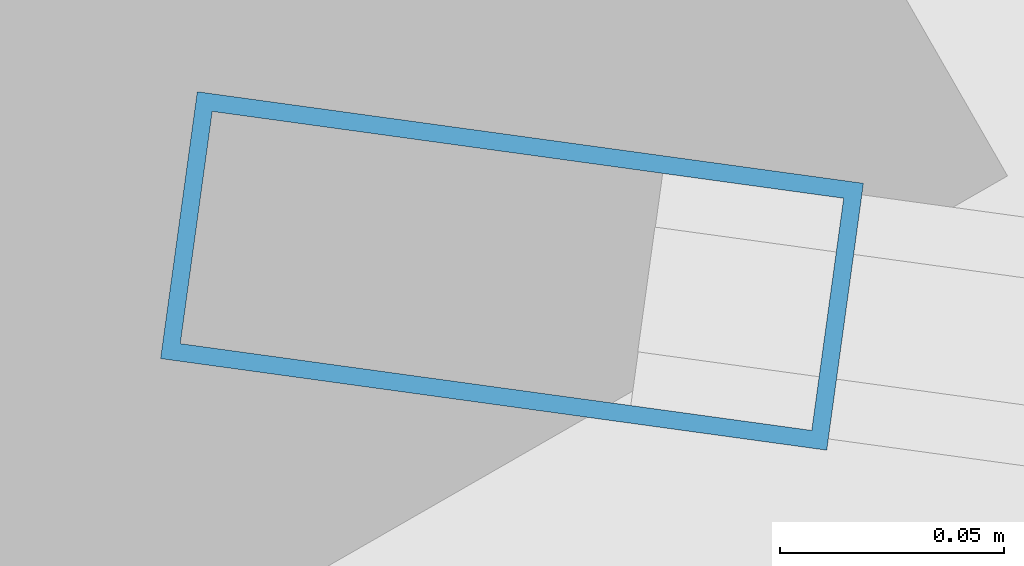
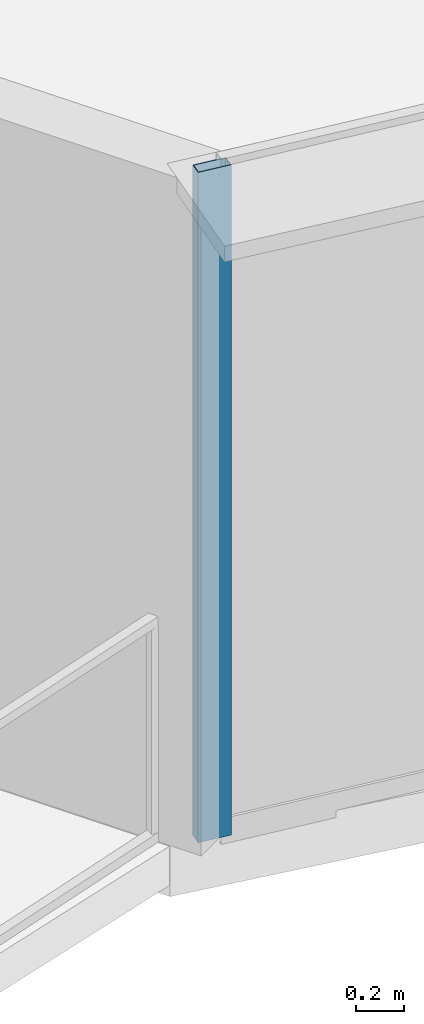
# One storey, part 2 of 39: 1 member, 1 element without a shape of its own.
"""IFC4 building model written with IfcOpenShell, lengths in metres."""

from ifc_helpers import new_model, si_unit, direction, frame, origin, origin_2d, place, context, subcontext, project, spatial, hollow_rectangle, extrude, source, transform, mapped, material, layer, layer_set, material_profile, profile_set, type_object, element, aggregate, save


model = new_model("IFC4")

# Units and contexts
model_context = context("Model", 3, precision=1e-05, world=origin(), true_north=direction((0.0, 1.0)))
body_context = subcontext(model_context, "Body", "Model", "MODEL_VIEW")
ifc_project = project(units=[si_unit("LENGTHUNIT", "METRE"), si_unit("AREAUNIT", "SQUARE_METRE"), si_unit("VOLUMEUNIT", "CUBIC_METRE"), si_unit("PLANEANGLEUNIT", "RADIAN"), si_unit("MASSUNIT", "GRAM", prefix="KILO"), si_unit("THERMODYNAMICTEMPERATUREUNIT", "KELVIN"), si_unit("POWERUNIT", "WATT")], contexts=[model_context])

# Site, building, storey
site_placement = place(None, origin())
site = spatial("IfcSite", under=ifc_project, at=site_placement, CompositionType="ELEMENT")
building_placement = place(site_placement, origin())
building = spatial("IfcBuilding", under=site, at=building_placement, Name="Yunzhuo Pagoda Commons", CompositionType="ELEMENT")
storey_placement = place(building_placement, frame((0.0, 0.0, 148.22998046875)))
storey = spatial("IfcBuildingStorey", under=building, at=storey_placement, Name="L37", CompositionType="ELEMENT", Elevation=148.22998046875)

# Curtain wall, member
ifc_material = material(Name="Anodized aluminium 6063-T6", Category="aluminium")
ifc_layer = layer(ifc_material, 0.14990234375)
ifc_layer_set = layer_set([ifc_layer], Name="Anodized aluminium 6063-T6")
curtain_wall_type = type_object("IfcCurtainWallType", Name="CW-MID Mid-Zone Ribbon Curtain Wall", PredefinedType="NOTDEFINED", material=ifc_layer_set)
curtain_wall_placement = place(storey_placement, origin())
curtain_wall = element("IfcCurtainWall", 1, at=curtain_wall_placement, inside=storey, type_object=curtain_wall_type, Name="L37 curtain wall CW-L37-F1B1", PredefinedType="NOTDEFINED")
ifc_material_profile = material_profile(ifc_material, hollow_rectangle(XDim=0.06005859375, YDim=0.14990234375, WallThickness=0.00390625, at=origin_2d()), Name="Anodized aluminium 6063-T6")
ifc_profile_set = profile_set([ifc_material_profile], Name="Anodized aluminium 6063-T6")
member_type = type_object("IfcMemberType", Name="CW-MID-M Mullion RHS 150x60x4", PredefinedType="MULLION", material=ifc_profile_set)
shared_shape = source(origin(), body_context, "Body", "SweptSolid", [
    extrude(hollow_rectangle(XDim=0.06005859375, YDim=0.14990234375, WallThickness=0.00390625, at=origin_2d()), origin(), (0.0, 0.0, 1.0), 3.419677734375),
])
member_placement = place(storey_placement, frame((12.514404296875, 16.39990234375, 0.000244140625), z_axis=(0.0, 0.0, 1.0), x_axis=(0.136220738131, 0.990678510165, 0.0)))
member = element("IfcMember", 2, at=member_placement, type_object=member_type, Name="CW mullion 1", PredefinedType="MULLION", context=body_context, shape_type="MappedRepresentation", body=[
    mapped(shared_shape, transform((0.0, 0.0, 0.0), scale=1.0)),
])
aggregate(curtain_wall, [member])

save(model, "model.ifc")
